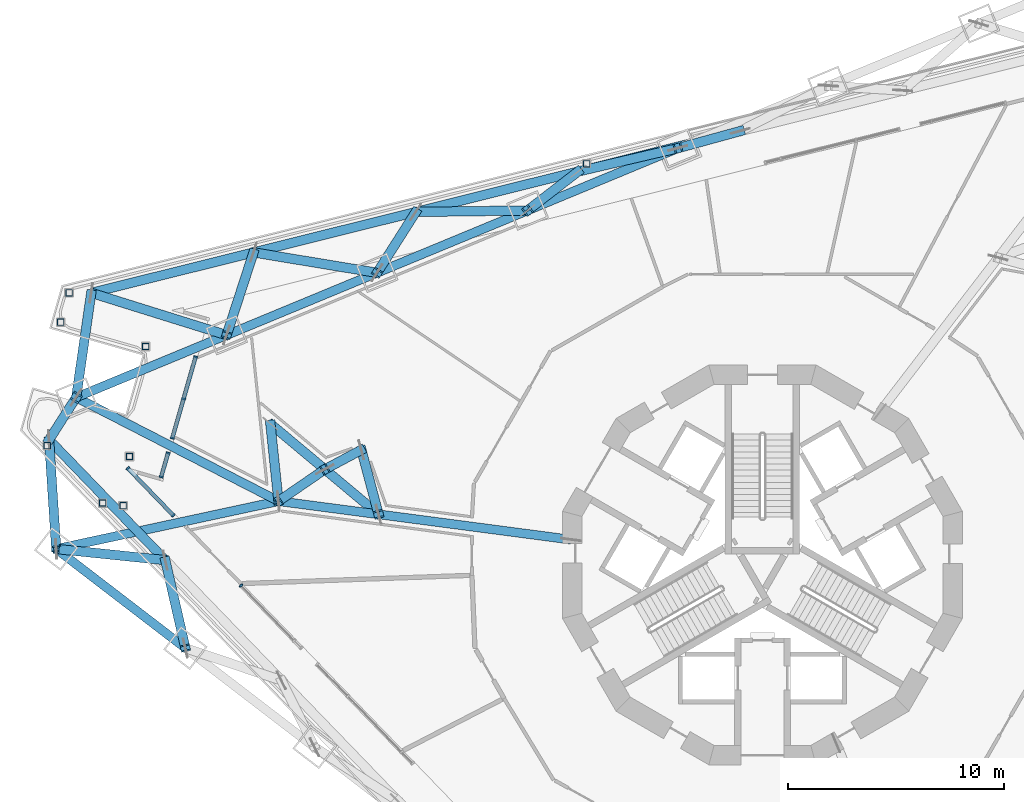
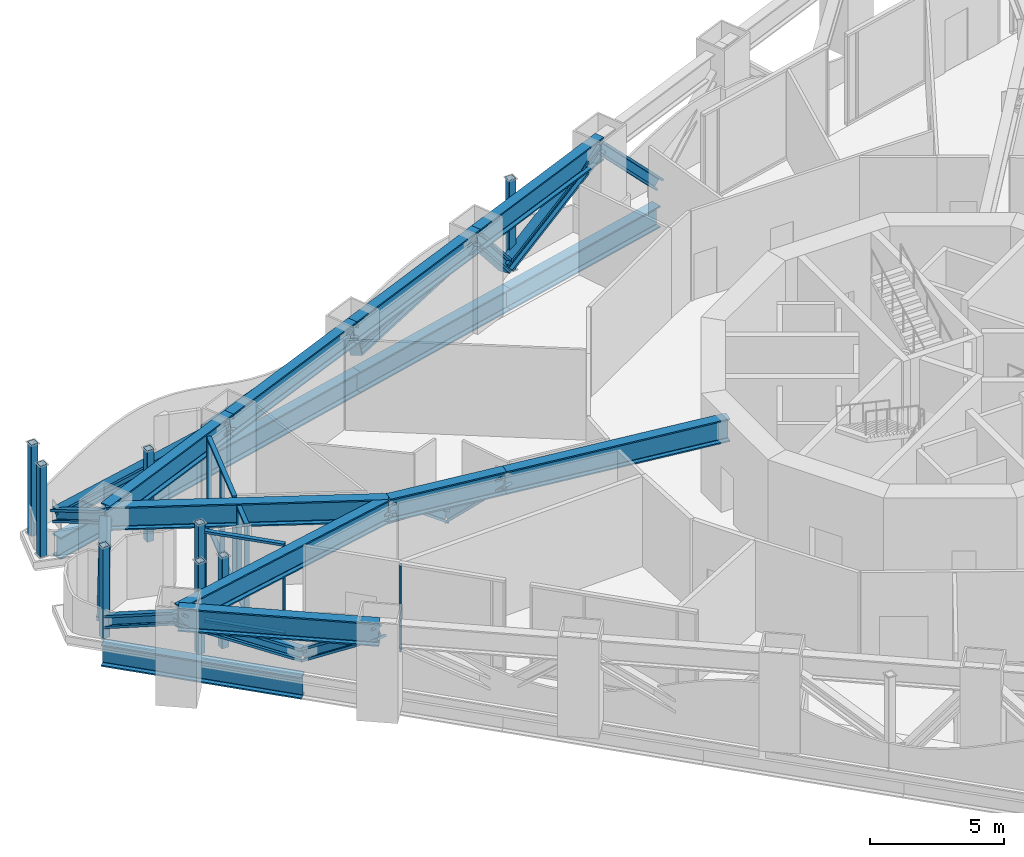
# One storey, part 4 of 26: 50 members, 4 beams, 4 elements without a shape of their own.
"""IFC4 building model written with IfcOpenShell, lengths in metres."""

from ifc_helpers import new_model, si_unit, direction, frame, origin, origin_2d, place, context, subcontext, project, spatial, rectangle, hollow_rectangle, i_section, extrude, material, layer, layer_set, material_profile, profile_set, type_object, element, aggregate, save


model = new_model("IFC4")

# Units and contexts
model_context = context("Model", 3, precision=1e-05, world=origin(), true_north=direction((0.0, 1.0)))
body_context = subcontext(model_context, "Body", "Model", "MODEL_VIEW")
ifc_project = project(units=[si_unit("LENGTHUNIT", "METRE"), si_unit("AREAUNIT", "SQUARE_METRE"), si_unit("VOLUMEUNIT", "CUBIC_METRE"), si_unit("PLANEANGLEUNIT", "RADIAN"), si_unit("MASSUNIT", "GRAM", prefix="KILO")], contexts=[model_context])

# Site, building, storey
site_placement = place(None, origin())
site = spatial("IfcSite", under=ifc_project, at=site_placement, CompositionType="ELEMENT")
building_placement = place(site_placement, origin())
building = spatial("IfcBuilding", under=site, at=building_placement, Name="Trine Commons Tower", CompositionType="ELEMENT")
storey_placement = place(building_placement, frame((0.0, 0.0, 119.699951171875)))
storey = spatial("IfcBuildingStorey", under=building, at=storey_placement, Name="L30", CompositionType="ELEMENT", Elevation=119.699951171875)

# Curtain wall, members
ifc_material_1 = material(Name="Sky lounge glazing: anodised aluminium frame with low-emissivity double glazed unit, solar control", Category="aluminium")
ifc_layer = layer(ifc_material_1, 0.179931640625)
ifc_layer_set = layer_set([ifc_layer], Name="Sky lounge glazing: anodised aluminium frame with low-emissivity double glazed unit, solar control")
curtain_wall_type = type_object("IfcCurtainWallType", Name="Sky lounge glazing curtain wall CW5", PredefinedType="NOTDEFINED", material=ifc_layer_set)
curtain_wall_1_placement = place(storey_placement, origin())
curtain_wall_1 = element("IfcCurtainWall", 1, at=curtain_wall_1_placement, inside=storey, type_object=curtain_wall_type, Name="Sky lounge glazing L30 P1.1", PredefinedType="NOTDEFINED")
ifc_material_2 = material(Name="Anodised aluminium, bronze finish", Category="aluminium")
ifc_material_profile_1 = material_profile(ifc_material_2, rectangle(XDim=0.179931640625, YDim=0.074951171875, at=origin_2d()), Name="Mullion 75x180")
ifc_profile_set_1 = profile_set([ifc_material_profile_1], Name="Anodised aluminium, bronze finish")
member_type_1 = type_object("IfcMemberType", Name="Mullion 75x180, Anodised aluminium, bronze finish", PredefinedType="MULLION", material=ifc_profile_set_1)
member_1_placement = place(storey_placement, frame((52.116943359375, 66.581298828125, 0.110107421875), z_axis=(0.0, 0.0, 1.0), x_axis=(-0.961261695938, 0.275637355817, 0.0)))
member_1 = element("IfcMember", 2, at=member_1_placement, type_object=member_type_1, Name="CW5 mullion 1.1", PredefinedType="MULLION", context=body_context, shape_type="SweptSolid", body=[
    extrude(rectangle(XDim=0.179931640625, YDim=0.074951171875, at=origin_2d()), origin(), (0.0, 0.0, 1.0), 3.929931640625),
])
member_2_placement = place(storey_placement, frame((52.434326171875, 67.688232421875, 0.110107421875), z_axis=(0.0, 0.0, 1.0), x_axis=(-0.961261695938, 0.275637355817, 0.0)))
member_2 = element("IfcMember", 3, at=member_2_placement, type_object=member_type_1, Name="CW5 mullion 2.1", PredefinedType="MULLION", context=body_context, shape_type="SweptSolid", body=[
    extrude(rectangle(XDim=0.179931640625, YDim=0.074951171875, at=origin_2d()), origin(), (0.0, 0.0, 1.0), 3.929931640625),
])

curtain_wall_2_placement = place(storey_placement, origin())
curtain_wall_2 = element("IfcCurtainWall", 4, at=curtain_wall_2_placement, inside=storey, type_object=curtain_wall_type, Name="Sky lounge glazing L30 P1.2", PredefinedType="NOTDEFINED")
member_3_placement = place(storey_placement, frame((52.6318359375, 68.376708984375, 0.110107421875), z_axis=(0.0, 0.0, 1.0), x_axis=(-0.961261695938, 0.275637355817, 0.0)))
member_3 = element("IfcMember", 5, at=member_3_placement, type_object=member_type_1, Name="CW5 mullion 1.1", PredefinedType="MULLION", context=body_context, shape_type="SweptSolid", body=[
    extrude(rectangle(XDim=0.179931640625, YDim=0.074951171875, at=origin_2d()), origin(), (0.0, 0.0, 1.0), 3.929931640625),
])
member_4_placement = place(storey_placement, frame((53.154052734375, 70.197998046875, 0.110107421875), z_axis=(0.0, 0.0, 1.0), x_axis=(-0.961261695938, 0.275637355817, 0.0)))
member_4 = element("IfcMember", 6, at=member_4_placement, type_object=member_type_1, Name="CW5 mullion 2.1", PredefinedType="MULLION", context=body_context, shape_type="SweptSolid", body=[
    extrude(rectangle(XDim=0.179931640625, YDim=0.074951171875, at=origin_2d()), origin(), (0.0, 0.0, 1.0), 3.929931640625),
])
member_5_placement = place(storey_placement, frame((53.712890625, 72.146484375, 0.110107421875), z_axis=(0.0, 0.0, 1.0), x_axis=(-0.961261695938, 0.275637355817, 0.0)))
member_5 = element("IfcMember", 7, at=member_5_placement, type_object=member_type_1, Name="CW5 mullion 3.1", PredefinedType="MULLION", context=body_context, shape_type="SweptSolid", body=[
    extrude(rectangle(XDim=0.179931640625, YDim=0.074951171875, at=origin_2d()), origin(), (0.0, 0.0, 1.0), 3.929931640625),
])

# Curtain wall, member
curtain_wall_3_placement = place(storey_placement, origin())
curtain_wall_3 = element("IfcCurtainWall", 8, at=curtain_wall_3_placement, inside=storey, type_object=curtain_wall_type, Name="Sky lounge glazing L30 F3.2", PredefinedType="NOTDEFINED")
member_6_placement = place(storey_placement, frame((55.81884765625, 61.54345703125, 0.110107421875), z_axis=(0.0, 0.0, 1.0), x_axis=(-0.719339800339, -0.694658370459, 0.0)))
member_6 = element("IfcMember", 9, at=member_6_placement, type_object=member_type_1, Name="CW5 mullion 3.1", PredefinedType="MULLION", context=body_context, shape_type="SweptSolid", body=[
    extrude(rectangle(XDim=0.179931640625, YDim=0.074951171875, at=origin_2d()), origin(), (0.0, 0.0, 1.0), 3.929931640625),
])
aggregate(curtain_wall_3, [member_6])

# Curtain wall, members
curtain_wall_4_placement = place(storey_placement, origin())
curtain_wall_4 = element("IfcCurtainWall", 10, at=curtain_wall_4_placement, inside=storey, type_object=curtain_wall_type, Name="Sky lounge glazing L30 F3.3", PredefinedType="NOTDEFINED")
member_7_placement = place(storey_placement, frame((52.68212890625, 64.791748046875, 0.110107421875), z_axis=(0.0, 0.0, 1.0), x_axis=(-0.719339800339, -0.694658370459, 0.0)))
member_7 = element("IfcMember", 11, at=member_7_placement, type_object=member_type_1, Name="CW5 mullion 1.1", PredefinedType="MULLION", context=body_context, shape_type="SweptSolid", body=[
    extrude(rectangle(XDim=0.179931640625, YDim=0.074951171875, at=origin_2d()), origin(), (0.0, 0.0, 1.0), 3.929931640625),
])
member_8_placement = place(storey_placement, frame((50.57470703125, 66.97412109375, 0.110107421875), z_axis=(0.0, 0.0, 1.0), x_axis=(-0.719339800339, -0.694658370459, 0.0)))
member_8 = element("IfcMember", 12, at=member_8_placement, type_object=member_type_1, Name="CW5 mullion 2.1", PredefinedType="MULLION", context=body_context, shape_type="SweptSolid", body=[
    extrude(rectangle(XDim=0.179931640625, YDim=0.074951171875, at=origin_2d()), origin(), (0.0, 0.0, 1.0), 3.929931640625),
])

# Beams
ifc_material_3 = material(Name="Structural steel ASTM A992 Gr50", Category="steel")
ifc_material_profile_2 = material_profile(ifc_material_3, i_section(OverallWidth=0.412841796875, OverallDepth=1.0478515625, WebThickness=0.033935546875, FlangeThickness=0.059814453125, FilletRadius=0.030029296875, at=origin_2d()), Name="W40X431")
ifc_profile_set_2 = profile_set([ifc_material_profile_2], Name="Structural steel ASTM A992 Gr50")
beam_type = type_object("IfcBeamType", Name="Steel beam W40X431, ASTM A992 Gr50", PredefinedType="BEAM", material=ifc_profile_set_2)
for number, where, z_axis, x_axis, name in (
    (13, (47.248779296875, 63.23681640625, 3.626220703125), (0.977629269882, 0.210335471735, 0.0), (-0.210335471735, 0.977629269882, 0.0), "Transfer truss girder T3-UV-01"),
    (14, (48.174072265625, 70.264892578125, 3.626220703125), (0.88987121446, -0.456211816676, 0.0), (0.456211816676, 0.88987121446, 0.0), "Transfer truss girder T3-UV-02"),
):
    element("IfcBeam", number, at=place(storey_placement, frame(where, z_axis=z_axis, x_axis=x_axis)), inside=storey, type_object=beam_type, Name=name, PredefinedType="BEAM", context=body_context, shape_type="SweptSolid", body=[
        extrude(i_section(OverallWidth=0.412841796875, OverallDepth=1.0478515625, WebThickness=0.033935546875, FlangeThickness=0.059814453125, FilletRadius=0.030029296875, at=origin_2d()), origin(), (0.0, 0.0, 1.0), 10.5439453125),
    ])
beam_1_placement = place(storey_placement, frame((71.123779296875, 63.668701171875, 3.626220703125), z_axis=(-0.991447278381, 0.130507831917, 0.0), x_axis=(-0.130507831917, -0.991447278381, 0.0)))
element("IfcBeam", 15, at=beam_1_placement, inside=storey, type_object=beam_type, Name="Transfer truss girder T3-UR-05", PredefinedType="BEAM", context=body_context, shape_type="SweptSolid", body=[
    extrude(i_section(OverallWidth=0.412841796875, OverallDepth=1.0478515625, WebThickness=0.033935546875, FlangeThickness=0.059814453125, FilletRadius=0.030029296875, at=origin_2d()), origin(), (0.0, 0.0, 1.0), 9.001708984375),
])
beam_2_placement = place(storey_placement, frame((62.198974609375, 64.843505859375, 3.626220703125), z_axis=(-0.991446484744, 0.130513860908, 0.0), x_axis=(-0.130513860908, -0.991446484744, 0.0)))
element("IfcBeam", 16, at=beam_2_placement, inside=storey, type_object=beam_type, Name="Transfer truss girder T3-UR-06", PredefinedType="BEAM", context=body_context, shape_type="SweptSolid", body=[
    extrude(i_section(OverallWidth=0.412841796875, OverallDepth=1.0478515625, WebThickness=0.033935546875, FlangeThickness=0.059814453125, FilletRadius=0.030029296875, at=origin_2d()), origin(), (0.0, 0.0, 1.0), 4.68212890625),
])

# Members
ifc_material_profile_3 = material_profile(ifc_material_3, i_section(OverallWidth=0.43798828125, OverallDepth=0.514404296875, WebThickness=0.060546875, FlangeThickness=0.096923828125, FilletRadius=0.015380859375, at=origin_2d()), Name="W14X550")
ifc_profile_set_3 = profile_set([ifc_material_profile_3], Name="Structural steel ASTM A992 Gr50")
member_type_2 = type_object("IfcMemberType", Name="Steel brace W14X550, ASTM A992 Gr50", PredefinedType="BRACE", material=ifc_profile_set_3)
member_9_placement = place(storey_placement, frame((52.30712890625, 62.71826171875, 0.49365234375), z_axis=(0.178473777629, -0.780361529142, 0.599318775389), x_axis=(0.974829890074, 0.222949961691, 0.0)))
element("IfcMember", 17, at=member_9_placement, inside=storey, type_object=member_type_2, Name="Transfer truss brace T3-DG-13", PredefinedType="BRACE", context=body_context, shape_type="SweptSolid", body=[
    extrude(i_section(OverallWidth=0.43798828125, OverallDepth=0.514404296875, WebThickness=0.060546875, FlangeThickness=0.096923828125, FilletRadius=0.015380859375, at=origin_2d()), origin(), (0.0, 0.0, 1.0), 5.226806640625),
])
member_10_placement = place(storey_placement, frame((46.918212890625, 68.298583984375, 0.49365234375), z_axis=(0.055446877713, -0.849025196176, 0.52543492462), x_axis=(0.997874326465, 0.065167695849, 0.0)))
element("IfcMember", 18, at=member_10_placement, inside=storey, type_object=member_type_2, Name="Transfer truss brace T3-DG-15", PredefinedType="BRACE", context=body_context, shape_type="SweptSolid", body=[
    extrude(i_section(OverallWidth=0.43798828125, OverallDepth=0.514404296875, WebThickness=0.060546875, FlangeThickness=0.096923828125, FilletRadius=0.015380859375, at=origin_2d()), origin(), (0.0, 0.0, 1.0), 5.9619140625),
])
member_11_placement = place(storey_placement, frame((52.30712890625, 62.71826171875, 0.49365234375), z_axis=(-0.846963488613, 0.086826123356, 0.524513177393), x_axis=(-0.10198013365, -0.994786435543, 0.0)))
element("IfcMember", 19, at=member_11_placement, inside=storey, type_object=member_type_2, Name="Transfer truss brace T3-DG-16", PredefinedType="BRACE", context=body_context, shape_type="SweptSolid", body=[
    extrude(i_section(OverallWidth=0.43798828125, OverallDepth=0.514404296875, WebThickness=0.060546875, FlangeThickness=0.096923828125, FilletRadius=0.015380859375, at=origin_2d()), origin(), (0.0, 0.0, 1.0), 5.972412109375),
])
member_12_placement = place(storey_placement, frame((46.918212890625, 68.298583984375, 0.49365234375), z_axis=(0.321523730206, 0.503412154565, 0.801996691733), x_axis=(-0.842772739045, 0.538269551732, 0.0)))
element("IfcMember", 20, at=member_12_placement, inside=storey, type_object=member_type_2, Name="Transfer truss brace T3-DG-17", PredefinedType="BRACE", context=body_context, shape_type="SweptSolid", body=[
    extrude(i_section(OverallWidth=0.43798828125, OverallDepth=0.514404296875, WebThickness=0.060546875, FlangeThickness=0.096923828125, FilletRadius=0.015380859375, at=origin_2d()), origin(), (0.0, 0.0, 1.0), 3.906005859375),
])
member_13_placement = place(storey_placement, frame((48.872314453125, 75.113037109375, 0.49365234375), z_axis=(-0.120092368166, -0.833844142319, 0.538778033543), x_axis=(0.989787356075, -0.142551709053, 0.0)))
element("IfcMember", 21, at=member_13_placement, inside=storey, type_object=member_type_2, Name="Transfer truss brace T3-DG-18", PredefinedType="BRACE", context=body_context, shape_type="SweptSolid", body=[
    extrude(i_section(OverallWidth=0.43798828125, OverallDepth=0.514404296875, WebThickness=0.060546875, FlangeThickness=0.096923828125, FilletRadius=0.015380859375, at=origin_2d()), origin(), (0.0, 0.0, 1.0), 5.814208984375),
])
member_14_placement = place(storey_placement, frame((56.3994140625, 76.98974609375, 0.49365234375), z_axis=(-0.244451737054, -0.750949234091, 0.613448120113), x_axis=(0.950887593686, -0.309536402019, 0.0)))
element("IfcMember", 22, at=member_14_placement, inside=storey, type_object=member_type_2, Name="Transfer truss brace T3-DG-19", PredefinedType="BRACE", context=body_context, shape_type="SweptSolid", body=[
    extrude(i_section(OverallWidth=0.43798828125, OverallDepth=0.514404296875, WebThickness=0.060546875, FlangeThickness=0.096923828125, FilletRadius=0.015380859375, at=origin_2d()), origin(), (0.0, 0.0, 1.0), 5.1064453125),
])
member_15_placement = place(storey_placement, frame((48.872314453125, 75.113037109375, 0.49365234375), z_axis=(0.861889945549, -0.268775074396, 0.430006605931), x_axis=(0.297704265784, 0.954658143072, 0.0)))
element("IfcMember", 23, at=member_15_placement, inside=storey, type_object=member_type_2, Name="Transfer truss brace T3-DG-20", PredefinedType="BRACE", context=body_context, shape_type="SweptSolid", body=[
    extrude(i_section(OverallWidth=0.43798828125, OverallDepth=0.514404296875, WebThickness=0.060546875, FlangeThickness=0.096923828125, FilletRadius=0.015380859375, at=origin_2d()), origin(), (0.0, 0.0, 1.0), 7.284912109375),
])
member_16_placement = place(storey_placement, frame((63.926513671875, 78.86669921875, 0.49365234375), z_axis=(-0.392341770823, -0.615623973279, 0.683428897832), x_axis=(0.84330077684, -0.537441903634, 0.0)))
element("IfcMember", 24, at=member_16_placement, inside=storey, type_object=member_type_2, Name="Transfer truss brace T3-DG-21", PredefinedType="BRACE", context=body_context, shape_type="SweptSolid", body=[
    extrude(i_section(OverallWidth=0.43798828125, OverallDepth=0.514404296875, WebThickness=0.060546875, FlangeThickness=0.096923828125, FilletRadius=0.015380859375, at=origin_2d()), origin(), (0.0, 0.0, 1.0), 4.58349609375),
])
member_17_placement = place(storey_placement, frame((56.3994140625, 76.98974609375, 0.49365234375), z_axis=(0.868349152656, -0.143213774591, 0.474825824749), x_axis=(0.162728171099, 0.986670939235, 0.0)))
element("IfcMember", 25, at=member_17_placement, inside=storey, type_object=member_type_2, Name="Transfer truss brace T3-DG-22", PredefinedType="BRACE", context=body_context, shape_type="SweptSolid", body=[
    extrude(i_section(OverallWidth=0.43798828125, OverallDepth=0.514404296875, WebThickness=0.060546875, FlangeThickness=0.096923828125, FilletRadius=0.015380859375, at=origin_2d()), origin(), (0.0, 0.0, 1.0), 6.597412109375),
])
member_18_placement = place(storey_placement, frame((71.453857421875, 80.743408203125, 0.49365234375), z_axis=(-0.544588067357, -0.419310167871, 0.726362733083), x_axis=(0.610072916717, -0.79234527593, 0.0)))
element("IfcMember", 26, at=member_18_placement, inside=storey, type_object=member_type_2, Name="Transfer truss brace T3-DG-23", PredefinedType="BRACE", context=body_context, shape_type="SweptSolid", body=[
    extrude(i_section(OverallWidth=0.43798828125, OverallDepth=0.514404296875, WebThickness=0.060546875, FlangeThickness=0.096923828125, FilletRadius=0.015380859375, at=origin_2d()), origin(), (0.0, 0.0, 1.0), 4.312744140625),
])
member_19_placement = place(storey_placement, frame((63.926513671875, 78.86669921875, 0.49365234375), z_axis=(0.855585606116, 0.011293794537, 0.517538134645), x_axis=(-0.013198925576, 0.999912890388, 0.0)))
element("IfcMember", 27, at=member_19_placement, inside=storey, type_object=member_type_2, Name="Transfer truss brace T3-DG-24", PredefinedType="BRACE", context=body_context, shape_type="SweptSolid", body=[
    extrude(i_section(OverallWidth=0.43798828125, OverallDepth=0.514404296875, WebThickness=0.060546875, FlangeThickness=0.096923828125, FilletRadius=0.015380859375, at=origin_2d()), origin(), (0.0, 0.0, 1.0), 6.052734375),
])
member_20_placement = place(storey_placement, frame((78.981201171875, 82.6201171875, 0.49365234375), z_axis=(-0.667692707407, -0.183105150789, 0.721567011601), x_axis=(0.264471117834, -0.964393606279, 0.0)))
element("IfcMember", 28, at=member_20_placement, inside=storey, type_object=member_type_2, Name="Transfer truss brace T3-DG-25", PredefinedType="BRACE", context=body_context, shape_type="SweptSolid", body=[
    extrude(i_section(OverallWidth=0.43798828125, OverallDepth=0.514404296875, WebThickness=0.060546875, FlangeThickness=0.096923828125, FilletRadius=0.015380859375, at=origin_2d()), origin(), (0.0, 0.0, 1.0), 4.34130859375),
])
member_21_placement = place(storey_placement, frame((71.453857421875, 80.743408203125, 0.49365234375), z_axis=(0.813075671093, 0.190027865321, 0.550270264033), x_axis=(-0.227581931693, 0.973758935449, 0.0)))
element("IfcMember", 29, at=member_21_placement, inside=storey, type_object=member_type_2, Name="Transfer truss brace T3-DG-26", PredefinedType="BRACE", context=body_context, shape_type="SweptSolid", body=[
    extrude(i_section(OverallWidth=0.43798828125, OverallDepth=0.514404296875, WebThickness=0.060546875, FlangeThickness=0.096923828125, FilletRadius=0.015380859375, at=origin_2d()), origin(), (0.0, 0.0, 1.0), 5.69287109375),
])
member_22_placement = place(storey_placement, frame((61.401611328125, 67.8330078125, 0.49365234375), z_axis=(0.181097855768, -0.67897833554, 0.71147170464), x_axis=(0.966221841679, 0.257711762754, 0.0)))
element("IfcMember", 30, at=member_22_placement, inside=storey, type_object=member_type_2, Name="Transfer truss brace T3-DG-57", PredefinedType="BRACE", context=body_context, shape_type="SweptSolid", body=[
    extrude(i_section(OverallWidth=0.43798828125, OverallDepth=0.514404296875, WebThickness=0.060546875, FlangeThickness=0.096923828125, FilletRadius=0.015380859375, at=origin_2d()), origin(), (0.0, 0.0, 1.0), 4.40283203125),
])
member_23_placement = place(storey_placement, frame((57.180419921875, 69.04345703125, 0.49365234375), z_axis=(0.691714772563, -0.578885446215, 0.431766503539), x_axis=(0.641790252326, 0.766880220125, 0.0)))
element("IfcMember", 31, at=member_23_placement, inside=storey, type_object=member_type_2, Name="Transfer truss brace T3-DG-58", PredefinedType="BRACE", context=body_context, shape_type="SweptSolid", body=[
    extrude(i_section(OverallWidth=0.43798828125, OverallDepth=0.514404296875, WebThickness=0.060546875, FlangeThickness=0.096923828125, FilletRadius=0.015380859375, at=origin_2d()), origin(), (0.0, 0.0, 1.0), 7.255126953125),
])
member_24_placement = place(storey_placement, frame((57.180419921875, 69.04345703125, 0.49365234375), z_axis=(0.078781996017, -0.751034592385, 0.655545908496), x_axis=(0.99454320126, 0.104325552132, 0.0)))
element("IfcMember", 32, at=member_24_placement, inside=storey, type_object=member_type_2, Name="Transfer truss brace T3-DG-59", PredefinedType="BRACE", context=body_context, shape_type="SweptSolid", body=[
    extrude(i_section(OverallWidth=0.43798828125, OverallDepth=0.514404296875, WebThickness=0.060546875, FlangeThickness=0.096923828125, FilletRadius=0.015380859375, at=origin_2d()), origin(), (0.0, 0.0, 1.0), 4.778564453125),
])
member_25_placement = place(storey_placement, frame((61.401611328125, 67.8330078125, 0.49365234375), z_axis=(-0.682035639263, -0.36366065628, 0.63449059398), x_axis=(0.470495881874, -0.882402190126, 0.0)))
element("IfcMember", 33, at=member_25_placement, inside=storey, type_object=member_type_2, Name="Transfer truss brace T3-DG-60a", PredefinedType="BRACE", context=body_context, shape_type="SweptSolid", body=[
    extrude(i_section(OverallWidth=0.43798828125, OverallDepth=0.514404296875, WebThickness=0.060546875, FlangeThickness=0.096923828125, FilletRadius=0.015380859375, at=origin_2d()), origin(), (0.0, 0.0, 1.0), 2.4853515625),
])
member_26_placement = place(storey_placement, frame((59.70654296875, 66.92919921875, 2.070556640625), z_axis=(-0.708121447799, -0.48575281598, 0.512453136329), x_axis=(0.565673950823, -0.824628996192, 0.0)))
element("IfcMember", 34, at=member_26_placement, inside=storey, type_object=member_type_2, Name="Transfer truss brace T3-DG-60b", PredefinedType="BRACE", context=body_context, shape_type="SweptSolid", body=[
    extrude(i_section(OverallWidth=0.43798828125, OverallDepth=0.514404296875, WebThickness=0.060546875, FlangeThickness=0.096923828125, FilletRadius=0.015380859375, at=origin_2d()), origin(), (0.0, 0.0, 1.0), 3.03564453125),
])
ifc_material_profile_4 = material_profile(ifc_material_3, i_section(OverallWidth=0.431884765625, OverallDepth=0.9873046875, WebThickness=0.034423828125, FlangeThickness=0.06201171875, FilletRadius=0.024169921875, at=origin_2d()), Name="W36X441")
ifc_profile_set_4 = profile_set([ifc_material_profile_4], Name="Structural steel ASTM A992 Gr50")
member_type_3 = type_object("IfcMemberType", Name="Steel chord W36X441, ASTM A992 Gr50", PredefinedType="CHORD", material=ifc_profile_set_4)
for number, where, z_axis, x_axis, name in (
    (35, (52.30712890625, 62.71826171875, -0.943603515625), (-0.694662468896, 0.719335842502, 0.0), (-0.719335842502, -0.694662468896, 0.0), "Transfer truss chord T3-LC-07"),
    (36, (48.872314453125, 75.113037109375, -0.943603515625), (0.970295960131, 0.241920957657, 0.0), (-0.241920957657, 0.970295960131, 0.0), "Transfer truss chord T3-LC-08"),
    (37, (56.3994140625, 76.98974609375, -0.943603515625), (0.970288572289, 0.241950586869, 0.0), (-0.241950586869, 0.970288572289, 0.0), "Transfer truss chord T3-LC-09"),
):
    element("IfcMember", number, at=place(storey_placement, frame(where, z_axis=z_axis, x_axis=x_axis)), inside=storey, type_object=member_type_3, Name=name, PredefinedType="CHORD", context=body_context, shape_type="SweptSolid", body=[
        extrude(i_section(OverallWidth=0.431884765625, OverallDepth=0.9873046875, WebThickness=0.034423828125, FlangeThickness=0.06201171875, FilletRadius=0.024169921875, at=origin_2d()), origin(), (0.0, 0.0, 1.0), 7.757568359375),
    ])
for number, where, z_axis, x_axis, name in (
    (38, (63.926513671875, 78.86669921875, -0.943603515625), (0.970297801936, 0.24191357043, 0.0), (-0.24191357043, 0.970297801936, 0.0), "Transfer truss chord T3-LC-10"),
    (39, (71.453857421875, 80.743408203125, -0.943603515625), (0.970297801936, 0.24191357043, 0.0), (-0.24191357043, 0.970297801936, 0.0), "Transfer truss chord T3-LC-11"),
):
    element("IfcMember", number, at=place(storey_placement, frame(where, z_axis=z_axis, x_axis=x_axis)), inside=storey, type_object=member_type_3, Name=name, PredefinedType="CHORD", context=body_context, shape_type="SweptSolid", body=[
        extrude(i_section(OverallWidth=0.431884765625, OverallDepth=0.9873046875, WebThickness=0.034423828125, FlangeThickness=0.06201171875, FilletRadius=0.024169921875, at=origin_2d()), origin(), (0.0, 0.0, 1.0), 7.7578125),
    ])
ifc_material_profile_5 = material_profile(ifc_material_3, i_section(OverallWidth=0.412841796875, OverallDepth=1.0478515625, WebThickness=0.033935546875, FlangeThickness=0.059814453125, FilletRadius=0.030029296875, at=origin_2d()), Name="W40X431")
ifc_profile_set_5 = profile_set([ifc_material_profile_5], Name="Structural steel ASTM A992 Gr50")
member_type_4 = type_object("IfcMemberType", Name="Steel chord W40X431, ASTM A992 Gr50", PredefinedType="CHORD", material=ifc_profile_set_5)
member_27_placement = place(storey_placement, frame((53.239990234375, 58.639404296875, 3.626220703125), z_axis=(-0.793340916264, 0.608777619974, 0.0), x_axis=(-0.608777619974, -0.793340916264, 0.0)))
element("IfcMember", 40, at=member_27_placement, inside=storey, type_object=member_type_4, Name="Transfer truss chord T3-UC-07", PredefinedType="CHORD", context=body_context, shape_type="SweptSolid", body=[
    extrude(i_section(OverallWidth=0.412841796875, OverallDepth=1.0478515625, WebThickness=0.033935546875, FlangeThickness=0.059814453125, FilletRadius=0.030029296875, at=origin_2d()), origin(), (0.0, 0.0, 1.0), 7.5517578125),
])
member_28_placement = place(storey_placement, frame((48.174072265625, 70.264892578125, 3.626220703125), z_axis=(0.923872619505, 0.382700121412, 0.0), x_axis=(-0.382700121412, 0.923872619505, 0.0)))
element("IfcMember", 41, at=member_28_placement, inside=storey, type_object=member_type_4, Name="Transfer truss chord T3-UC-08", PredefinedType="CHORD", context=body_context, shape_type="SweptSolid", body=[
    extrude(i_section(OverallWidth=0.412841796875, OverallDepth=1.0478515625, WebThickness=0.033935546875, FlangeThickness=0.059814453125, FilletRadius=0.030029296875, at=origin_2d()), origin(), (0.0, 0.0, 1.0), 7.552001953125),
])
member_29_placement = place(storey_placement, frame((55.151123046875, 73.155029296875, 3.626220703125), z_axis=(0.923884049359, 0.382672527548, 0.0), x_axis=(-0.382672527548, 0.923884049359, 0.0)))
element("IfcMember", 42, at=member_29_placement, inside=storey, type_object=member_type_4, Name="Transfer truss chord T3-UC-09", PredefinedType="CHORD", context=body_context, shape_type="SweptSolid", body=[
    extrude(i_section(OverallWidth=0.412841796875, OverallDepth=1.0478515625, WebThickness=0.033935546875, FlangeThickness=0.059814453125, FilletRadius=0.030029296875, at=origin_2d()), origin(), (0.0, 0.0, 1.0), 7.5517578125),
])
member_30_placement = place(storey_placement, frame((62.128173828125, 76.044921875, 3.626220703125), z_axis=(0.923872619505, 0.382700121412, 0.0), x_axis=(-0.382700121412, 0.923872619505, 0.0)))
element("IfcMember", 43, at=member_30_placement, inside=storey, type_object=member_type_4, Name="Transfer truss chord T3-UC-10", PredefinedType="CHORD", context=body_context, shape_type="SweptSolid", body=[
    extrude(i_section(OverallWidth=0.412841796875, OverallDepth=1.0478515625, WebThickness=0.033935546875, FlangeThickness=0.059814453125, FilletRadius=0.030029296875, at=origin_2d()), origin(), (0.0, 0.0, 1.0), 7.552001953125),
])
member_31_placement = place(storey_placement, frame((69.105224609375, 78.93505859375, 3.626220703125), z_axis=(0.923877354048, 0.382688691599, 0.0), x_axis=(-0.382688691599, 0.923877354048, 0.0)))
element("IfcMember", 44, at=member_31_placement, inside=storey, type_object=member_type_4, Name="Transfer truss chord T3-UC-11", PredefinedType="CHORD", context=body_context, shape_type="SweptSolid", body=[
    extrude(i_section(OverallWidth=0.412841796875, OverallDepth=1.0478515625, WebThickness=0.033935546875, FlangeThickness=0.059814453125, FilletRadius=0.030029296875, at=origin_2d()), origin(), (0.0, 0.0, 1.0), 7.55224609375),
])
ifc_material_4 = material(Name="Structural steel ASTM A500 Gr C", Category="steel")
ifc_material_profile_6 = material_profile(ifc_material_4, hollow_rectangle(XDim=0.3046875, YDim=0.3046875, WallThickness=0.014892578125, InnerFilletRadius=0.00732421875, OuterFilletRadius=0.022216796875, at=origin_2d()), Name="HSS12X12X5/8")
ifc_profile_set_6 = profile_set([ifc_material_profile_6], Name="Structural steel ASTM A500 Gr C")
member_type_5 = type_object("IfcMemberType", Name="Steel post HSS12X12X5/8, ASTM A500 Gr C", PredefinedType="POST", material=ifc_profile_set_6)
for number, where, z_axis, x_axis, name in (
    (45, (46.833740234375, 68.0263671875, 0.0), (0.0, 0.0, 1.0), (1.0, 0.0, 0.0), "Roof post SP3-11"),
    (46, (50.648193359375, 67.524169921875, 0.0), (0.0, 0.0, 1.0), (1.0, 0.0, 0.0), "Roof post SP3-12"),
    (47, (50.347900390625, 65.243896484375, 0.0), (0.0, 0.0, 1.0), (1.0, 0.0, 0.0), "Roof post SP3-13"),
    (48, (49.400146484375, 65.36865234375, 0.0), (0.0, 0.0, 1.0), (1.0, 0.0, 0.0), "Roof post SP3-14"),
    (49, (51.394287109375, 72.627197265625, 0.0), (0.0, 0.0, 1.0), (1.0, 0.0, 0.0), "Roof post SP3-21"),
    (50, (47.4541015625, 73.7568359375, 0.0), (0.0, 0.0, 1.0), (1.0, 0.0, 0.0), "Roof post SP3-22"),
    (51, (47.843505859375, 75.1142578125, 0.0), (0.0, 0.0, 1.0), (1.0, 0.0, 0.0), "Roof post SP3-23"),
    (52, (71.84716796875, 81.09912109375, 0.0), (0.0, 0.0, 1.0), (1.0, 0.0, 0.0), "Roof post SP3-24"),
):
    element("IfcMember", number, at=place(storey_placement, frame(where, z_axis=z_axis, x_axis=x_axis)), inside=storey, type_object=member_type_5, Name=name, PredefinedType="POST", context=body_context, shape_type="SweptSolid", body=[
        extrude(hollow_rectangle(XDim=0.3046875, YDim=0.3046875, WallThickness=0.014892578125, InnerFilletRadius=0.00732421875, OuterFilletRadius=0.022216796875, at=origin_2d()), origin(), (0.0, 0.0, 1.0), 4.150146484375),
    ])

# Member
ifc_material_profile_7 = material_profile(ifc_material_2, rectangle(XDim=0.179931640625, YDim=0.110107421875, at=origin_2d()), Name="Transom 110x180")
ifc_profile_set_7 = profile_set([ifc_material_profile_7], Name="Anodised aluminium, bronze finish")
member_type_6 = type_object("IfcMemberType", Name="Transom 110x180, Anodised aluminium, bronze finish", PredefinedType="USERDEFINED", material=ifc_profile_set_7)
member_32_placement = place(storey_placement, frame((52.106689453125, 66.545166015625, 0.054931640625), z_axis=(0.275509794555, 0.961298264382, 0.0), x_axis=(-0.961298264382, 0.275509794555, 0.0)))
member_32 = element("IfcMember", 53, at=member_32_placement, type_object=member_type_6, Name="CW5 transom T00", ObjectType="TRANSOM", PredefinedType="USERDEFINED", context=body_context, shape_type="SweptSolid", body=[
    extrude(rectangle(XDim=0.179931640625, YDim=0.110107421875, at=origin_2d()), origin(), (0.0, 0.0, 1.0), 1.226318359375),
])

member_33_placement = place(storey_placement, frame((52.106689453125, 66.545166015625, 4.094970703125), z_axis=(0.275509794555, 0.961298264382, 0.0), x_axis=(-0.961298264382, 0.275509794555, 0.0)))
member_33 = element("IfcMember", 54, at=member_33_placement, type_object=member_type_6, Name="CW5 transom TH00", ObjectType="TRANSOM", PredefinedType="USERDEFINED", context=body_context, shape_type="SweptSolid", body=[
    extrude(rectangle(XDim=0.179931640625, YDim=0.110107421875, at=origin_2d()), origin(), (0.0, 0.0, 1.0), 1.226318359375),
])

aggregate(curtain_wall_1, [member_32, member_33, member_1, member_2])

member_34_placement = place(storey_placement, frame((52.62158203125, 68.340576171875, 0.054931640625), z_axis=(0.275608449443, 0.961269984237, 0.0), x_axis=(-0.961269984237, 0.275608449443, 0.0)))
member_34 = element("IfcMember", 55, at=member_34_placement, type_object=member_type_6, Name="CW5 transom T00", ObjectType="TRANSOM", PredefinedType="USERDEFINED", context=body_context, shape_type="SweptSolid", body=[
    extrude(rectangle(XDim=0.179931640625, YDim=0.110107421875, at=origin_2d()), origin(), (0.0, 0.0, 1.0), 3.996826171875),
])

member_35_placement = place(storey_placement, frame((52.62158203125, 68.340576171875, 4.094970703125), z_axis=(0.275608449443, 0.961269984237, 0.0), x_axis=(-0.961269984237, 0.275608449443, 0.0)))
member_35 = element("IfcMember", 56, at=member_35_placement, type_object=member_type_6, Name="CW5 transom TH00", ObjectType="TRANSOM", PredefinedType="USERDEFINED", context=body_context, shape_type="SweptSolid", body=[
    extrude(rectangle(XDim=0.179931640625, YDim=0.110107421875, at=origin_2d()), origin(), (0.0, 0.0, 1.0), 3.996826171875),
])

aggregate(curtain_wall_2, [member_34, member_35, member_3, member_4, member_5])

member_36_placement = place(storey_placement, frame((52.7080078125, 64.7646484375, 0.054931640625), z_axis=(-0.694629550936, 0.719367629913, 0.0), x_axis=(-0.719367629913, -0.694629550936, 0.0)))
member_36 = element("IfcMember", 57, at=member_36_placement, type_object=member_type_6, Name="CW5 transom T00", ObjectType="TRANSOM", PredefinedType="USERDEFINED", context=body_context, shape_type="SweptSolid", body=[
    extrude(rectangle(XDim=0.179931640625, YDim=0.110107421875, at=origin_2d()), origin(), (0.0, 0.0, 1.0), 3.108642578125),
])

member_37_placement = place(storey_placement, frame((52.7080078125, 64.7646484375, 4.094970703125), z_axis=(-0.694629550936, 0.719367629913, 0.0), x_axis=(-0.719367629913, -0.694629550936, 0.0)))
member_37 = element("IfcMember", 58, at=member_37_placement, type_object=member_type_6, Name="CW5 transom TH00", ObjectType="TRANSOM", PredefinedType="USERDEFINED", context=body_context, shape_type="SweptSolid", body=[
    extrude(rectangle(XDim=0.179931640625, YDim=0.110107421875, at=origin_2d()), origin(), (0.0, 0.0, 1.0), 3.108642578125),
])

aggregate(curtain_wall_4, [member_36, member_37, member_7, member_8])

save(model, "model.ifc")
